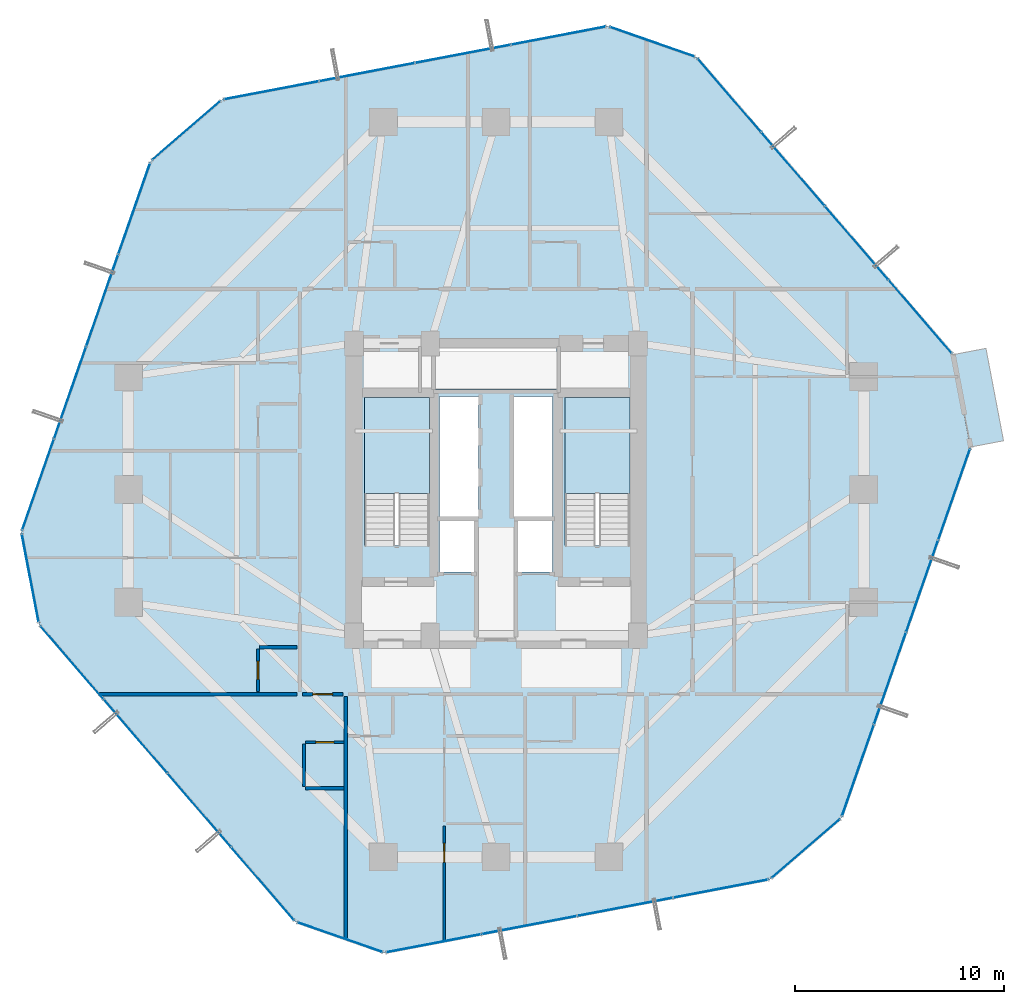
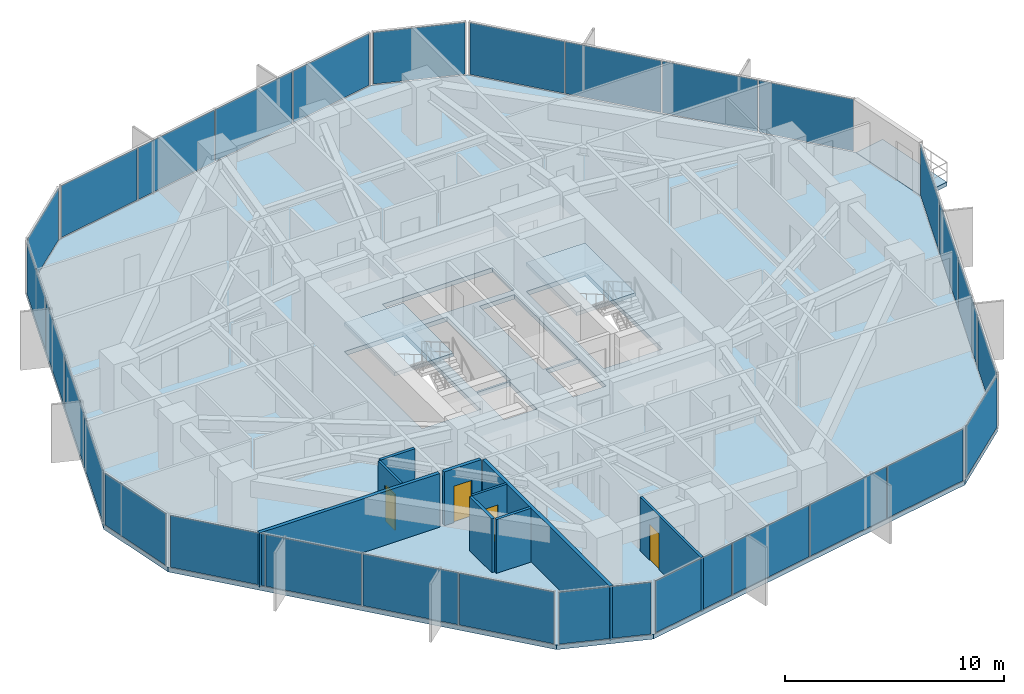
# One storey, part 32 of 38: 29 plates, 9 walls, 4 doors, 4 slabs, 4 openings, 13 elements without a shape of their own.
"""IFC4 building model written with IfcOpenShell, lengths in metres."""

from ifc_helpers import new_model, si_unit, direction, frame, frame_2d, origin, origin_2d, place, context, subcontext, project, spatial, polyline, rectangle, outline, extrude, source, transform, mapped, material, layer, layer_set, type_object, element, fill, aggregate, save


model = new_model("IFC4")

# Units and contexts
model_context = context("Model", 3, precision=1e-05, world=origin(), true_north=direction((0.0, 1.0)))
body_context = subcontext(model_context, "Body", "Model", "MODEL_VIEW")
ifc_project = project(units=[si_unit("LENGTHUNIT", "METRE"), si_unit("AREAUNIT", "SQUARE_METRE"), si_unit("VOLUMEUNIT", "CUBIC_METRE"), si_unit("PLANEANGLEUNIT", "RADIAN"), si_unit("MASSUNIT", "GRAM", prefix="KILO")], contexts=[model_context])

# Site, building, storey
site_placement = place(None, origin())
site = spatial("IfcSite", under=ifc_project, at=site_placement, CompositionType="ELEMENT")
building_placement = place(site_placement, origin())
building = spatial("IfcBuilding", under=site, at=building_placement, Name="Veraguas Prism Commons", CompositionType="ELEMENT")
storey_placement = place(building_placement, frame((0.0, 0.0, 60.85009765625)))
storey = spatial("IfcBuildingStorey", under=building, at=storey_placement, Name="L16", CompositionType="ELEMENT", Elevation=60.85009765625)

# Stair, slab
ifc_material_1 = material(Name="Precast concrete C45/55", Category="concrete")
stair_type = type_object("IfcStairType", Name="Dogleg Core Stair 1480W 20R 05", PredefinedType="HALF_TURN_STAIR", material=ifc_material_1)
stair_1_placement = place(storey_placement, origin())
stair_1 = element("IfcStair", 1, at=stair_1_placement, inside=storey, type_object=stair_type, Name="Protected Exit Stair ST-01 L16", PredefinedType="HALF_TURN_STAIR")
ifc_layer_1 = layer(ifc_material_1, 0.199951171875, Name="Precast Stair and Ramp Landing Slab 200", Category="concrete")
ifc_layer_set_1 = layer_set([ifc_layer_1], Name="Precast concrete C45/55")
slab_type_1 = type_object("IfcSlabType", Name="Precast Stair and Ramp Landing Slab 200", PredefinedType="LANDING", material=ifc_layer_set_1)
slab_1_placement = place(storey_placement, frame((0.0, 0.0, 1.4248046875)))
slab_1 = element("IfcSlab", 2, at=slab_1_placement, type_object=slab_type_1, Name="ST-05 Landing 1", PredefinedType="LANDING", context=body_context, shape_type="SweptSolid", body=[
    extrude(outline(polyline([(20.800048828125, 23.800048828125), (20.800048828125, 28.39990234375), (17.68994140625, 28.39990234375), (17.68994140625, 23.800048828125), (20.800048828125, 23.800048828125)])), origin(), (0.0, 0.0, 1.0), 0.2001953125),
])
aggregate(stair_1, [slab_1])

stair_2_placement = place(storey_placement, origin())
stair_2 = element("IfcStair", 3, at=stair_2_placement, inside=storey, type_object=stair_type, Name="Protected Exit Stair ST-02 L16", PredefinedType="HALF_TURN_STAIR")
slab_2_placement = place(storey_placement, frame((0.0, 0.0, 1.4248046875)))
slab_2 = element("IfcSlab", 4, at=slab_2_placement, type_object=slab_type_1, Name="ST-05 Landing 1", PredefinedType="LANDING", context=body_context, shape_type="SweptSolid", body=[
    extrude(outline(polyline([(30.39990234375, 23.800048828125), (30.39990234375, 28.39990234375), (27.2900390625, 28.39990234375), (27.2900390625, 23.800048828125), (30.39990234375, 23.800048828125)])), origin(), (0.0, 0.0, 1.0), 0.2001953125),
])
aggregate(stair_2, [slab_2])

# Slabs
ifc_material_2 = material(Name="Concrete C45/55", Category="concrete")
ifc_layer_2 = layer(ifc_material_2, 0.219970703125, Name="Recessed Loggia and Terrace Slab RC 220", Category="concrete")
ifc_layer_set_2 = layer_set([ifc_layer_2], Name="Concrete C45/55")
slab_type_2 = type_object("IfcSlabType", Name="Recessed Loggia and Terrace Slab RC 220", PredefinedType="FLOOR", material=ifc_layer_set_2)
slab_3_placement = place(storey_placement, frame((0.0, 0.0, -0.22021484375)))
element("IfcSlab", 5, at=slab_3_placement, inside=storey, type_object=slab_type_2, Name="Recessed Corner Loggia L16-C1", PredefinedType="FLOOR", context=body_context, shape_type="SweptSolid", body=[
    extrude(outline(polyline([(46.70166015625, 26.031982421875), (48.29296875, 26.3349609375), (47.451416015625, 30.755615234375), (45.85986328125, 30.452392578125), (46.70166015625, 26.031982421875)])), origin(), (0.0, 0.0, 1.0), 0.22021484375),
])
ifc_layer_3 = layer(ifc_material_2, 0.25, Name="Tower Lower Residential Floor Slab RC 250", Category="concrete")
ifc_layer_set_3 = layer_set([ifc_layer_3], Name="Concrete C45/55")
slab_type_3 = type_object("IfcSlabType", Name="Tower Lower Residential Floor Slab RC 250", PredefinedType="FLOOR", material=ifc_layer_set_3)
slab_4_placement = place(storey_placement, frame((0.0, 0.0, -0.25)))
element("IfcSlab", 6, at=slab_4_placement, inside=storey, type_object=slab_type_3, Name="Tower Floor Slab L16", PredefinedType="FLOOR", context=body_context, shape_type="SweptSolid", body=[
    extrude(outline(polyline([(46.72119140625, 26.03564453125), (45.87939453125, 30.456298828125), (33.59765625, 44.695068359375), (29.348388671875, 46.17626953125), (10.87646484375, 42.6591796875), (7.468994140625, 39.72021484375), (1.27880859375, 21.96435546875), (2.12060546875, 17.543701171875), (14.40234375, 3.304931640625), (18.651611328125, 1.82373046875), (37.12353515625, 5.3408203125), (40.531005859375, 8.27978515625), (46.72119140625, 26.03564453125)]), holes=[polyline([(20.800048828125, 21.31005859375), (20.800048828125, 28.39990234375), (17.68994140625, 28.39990234375), (17.68994140625, 21.31005859375), (20.800048828125, 21.31005859375)]), polyline([(30.39990234375, 21.31005859375), (30.39990234375, 28.39990234375), (27.2900390625, 28.39990234375), (27.2900390625, 21.31005859375), (30.39990234375, 21.31005859375)]), polyline([(21.300048828125, 22.64990234375), (23.14990234375, 22.64990234375), (23.14990234375, 28.449951171875), (21.300048828125, 28.449951171875), (21.300048828125, 22.64990234375)]), polyline([(24.85009765625, 22.64990234375), (26.699951171875, 22.64990234375), (26.699951171875, 28.449951171875), (24.85009765625, 28.449951171875), (24.85009765625, 22.64990234375)]), polyline([(21.10009765625, 28.800048828125), (26.89990234375, 28.800048828125), (26.89990234375, 30.800048828125), (21.10009765625, 30.800048828125), (21.10009765625, 28.800048828125)]), polyline([(21.300048828125, 20.050048828125), (23.050048828125, 20.050048828125), (23.050048828125, 22.550048828125), (21.300048828125, 22.550048828125), (21.300048828125, 20.050048828125)]), polyline([(24.949951171875, 20.050048828125), (26.699951171875, 20.050048828125), (26.699951171875, 22.550048828125), (24.949951171875, 22.550048828125), (24.949951171875, 20.050048828125)])]), origin(), (0.0, 0.0, 1.0), 0.25),
])

# Curtain wall, plates
ifc_material_3 = material(Name="Anodised aluminium EN AW-6063 T6", Category="aluminium")
ifc_layer_4 = layer(ifc_material_3, 0.169921875, Name="Unitised Flush Curtain Wall Zone 1", Category="aluminium")
ifc_layer_set_4 = layer_set([ifc_layer_4], Name="Anodised aluminium EN AW-6063 T6")
curtain_wall_type = type_object("IfcCurtainWallType", Name="Unitised Flush Curtain Wall Zone 1", PredefinedType="NOTDEFINED", material=ifc_layer_set_4)
curtain_wall_1_placement = place(storey_placement, origin())
curtain_wall_1 = element("IfcCurtainWall", 7, at=curtain_wall_1_placement, inside=storey, type_object=curtain_wall_type, Name="Tower Facade Curtain Wall L16-F1", PredefinedType="NOTDEFINED")
ifc_material_4 = material(Name="Laminated low-e glass", Category="glass")
ifc_layer_5 = layer(ifc_material_4, 0.028076171875, Name="Unitised Double Low-E Glazed Panel 28", Category="glass")
ifc_layer_set_5 = layer_set([ifc_layer_5], Name="Laminated low-e glass")
plate_type = type_object("IfcPlateType", Name="Unitised Double Low-E Glazed Panel 28", PredefinedType="CURTAIN_PANEL", material=ifc_layer_set_5)
shared_shape_1 = source(origin(), body_context, "Body", "SweptSolid", [
    extrude(rectangle(XDim=4.5810546875, YDim=0.028076171875, at=origin_2d()), origin(), (0.0, 0.0, 1.0), 2.889892578125),
])
plate_1_placement = place(storey_placement, frame((44.30517578125, 32.281494140625, 0.05517578125), z_axis=(0.0, 0.0, 1.0), x_axis=(-0.653149715021, 0.757228796182, 0.0)))
plate_1 = element("IfcPlate", 8, at=plate_1_placement, type_object=plate_type, Name="CW-Z1 Panel 1.1", PredefinedType="CURTAIN_PANEL", context=body_context, shape_type="MappedRepresentation", body=[
    mapped(shared_shape_1, transform((0.0, 0.0, 0.0), scale=1.0)),
])
plate_2_placement = place(storey_placement, frame((35.172119140625, 42.86962890625, 0.05517578125), z_axis=(0.0, 0.0, 1.0), x_axis=(-0.653149715021, 0.757228796182, 0.0)))
plate_2 = element("IfcPlate", 9, at=plate_2_placement, type_object=plate_type, Name="CW-Z1 Panel 4.1", PredefinedType="CURTAIN_PANEL", context=body_context, shape_type="MappedRepresentation", body=[
    mapped(shared_shape_1, transform((0.0, 0.0, 0.0), scale=1.0)),
])

curtain_wall_2_placement = place(storey_placement, origin())
curtain_wall_2 = element("IfcCurtainWall", 10, at=curtain_wall_2_placement, inside=storey, type_object=curtain_wall_type, Name="Tower Facade Curtain Wall L16-F2", PredefinedType="NOTDEFINED")
plate_3_placement = place(storey_placement, frame((26.98046875, 45.7255859375, 0.05517578125), z_axis=(0.0, 0.0, 1.0), x_axis=(-0.982352599301, -0.187038420242, 0.0)))
plate_3 = element("IfcPlate", 11, at=plate_3_placement, type_object=plate_type, Name="CW-Z1 Panel 1.1", PredefinedType="CURTAIN_PANEL", context=body_context, shape_type="MappedRepresentation", body=[
    mapped(shared_shape_1, transform((0.0, 0.0, 0.0), scale=1.0)),
])
plate_4_placement = place(storey_placement, frame((13.244384765625, 43.110107421875, 0.05517578125), z_axis=(0.0, 0.0, 1.0), x_axis=(-0.982352599301, -0.187038420242, 0.0)))
plate_4 = element("IfcPlate", 12, at=plate_4_placement, type_object=plate_type, Name="CW-Z1 Panel 4.1", PredefinedType="CURTAIN_PANEL", context=body_context, shape_type="MappedRepresentation", body=[
    mapped(shared_shape_1, transform((0.0, 0.0, 0.0), scale=1.0)),
])

curtain_wall_3_placement = place(storey_placement, origin())
curtain_wall_3 = element("IfcCurtainWall", 13, at=curtain_wall_3_placement, inside=storey, type_object=curtain_wall_type, Name="Tower Facade Curtain Wall L16-F3", PredefinedType="NOTDEFINED")
plate_5_placement = place(storey_placement, frame((6.675537109375, 37.44384765625, 0.05517578125), z_axis=(0.0, 0.0, 1.0), x_axis=(-0.329194628189, -0.944262091144, 0.0)))
plate_5 = element("IfcPlate", 14, at=plate_5_placement, type_object=plate_type, Name="CW-Z1 Panel 1.1", PredefinedType="CURTAIN_PANEL", context=body_context, shape_type="MappedRepresentation", body=[
    mapped(shared_shape_1, transform((0.0, 0.0, 0.0), scale=1.0)),
])
plate_6_placement = place(storey_placement, frame((2.072265625, 24.240478515625, 0.05517578125), z_axis=(0.0, 0.0, 1.0), x_axis=(-0.329194628189, -0.944262091144, 0.0)))
plate_6 = element("IfcPlate", 15, at=plate_6_placement, type_object=plate_type, Name="CW-Z1 Panel 4.1", PredefinedType="CURTAIN_PANEL", context=body_context, shape_type="MappedRepresentation", body=[
    mapped(shared_shape_1, transform((0.0, 0.0, 0.0), scale=1.0)),
])

curtain_wall_4_placement = place(storey_placement, origin())
curtain_wall_4 = element("IfcCurtainWall", 16, at=curtain_wall_4_placement, inside=storey, type_object=curtain_wall_type, Name="Tower Facade Curtain Wall L16-F4", PredefinedType="NOTDEFINED")
plate_7_placement = place(storey_placement, frame((3.69482421875, 15.718505859375, 0.05517578125), z_axis=(0.0, 0.0, 1.0), x_axis=(0.653149715021, -0.757228796182, 0.0)))
plate_7 = element("IfcPlate", 17, at=plate_7_placement, type_object=plate_type, Name="CW-Z1 Panel 1.1", PredefinedType="CURTAIN_PANEL", context=body_context, shape_type="MappedRepresentation", body=[
    mapped(shared_shape_1, transform((0.0, 0.0, 0.0), scale=1.0)),
])
plate_8_placement = place(storey_placement, frame((12.827880859375, 5.13037109375, 0.05517578125), z_axis=(0.0, 0.0, 1.0), x_axis=(0.653149715021, -0.757228796182, 0.0)))
plate_8 = element("IfcPlate", 18, at=plate_8_placement, type_object=plate_type, Name="CW-Z1 Panel 4.1", PredefinedType="CURTAIN_PANEL", context=body_context, shape_type="MappedRepresentation", body=[
    mapped(shared_shape_1, transform((0.0, 0.0, 0.0), scale=1.0)),
])

curtain_wall_5_placement = place(storey_placement, origin())
curtain_wall_5 = element("IfcCurtainWall", 19, at=curtain_wall_5_placement, inside=storey, type_object=curtain_wall_type, Name="Tower Facade Curtain Wall L16-F5", PredefinedType="NOTDEFINED")
plate_9_placement = place(storey_placement, frame((21.01953125, 2.2744140625, 0.05517578125), z_axis=(0.0, 0.0, 1.0), x_axis=(0.982352599301, 0.187038420242, 0.0)))
plate_9 = element("IfcPlate", 20, at=plate_9_placement, type_object=plate_type, Name="CW-Z1 Panel 1.1", PredefinedType="CURTAIN_PANEL", context=body_context, shape_type="MappedRepresentation", body=[
    mapped(shared_shape_1, transform((0.0, 0.0, 0.0), scale=1.0)),
])
plate_10_placement = place(storey_placement, frame((34.755615234375, 4.889892578125, 0.05517578125), z_axis=(0.0, 0.0, 1.0), x_axis=(0.982352599301, 0.187038420242, 0.0)))
plate_10 = element("IfcPlate", 21, at=plate_10_placement, type_object=plate_type, Name="CW-Z1 Panel 4.1", PredefinedType="CURTAIN_PANEL", context=body_context, shape_type="MappedRepresentation", body=[
    mapped(shared_shape_1, transform((0.0, 0.0, 0.0), scale=1.0)),
])

curtain_wall_6_placement = place(storey_placement, origin())
curtain_wall_6 = element("IfcCurtainWall", 22, at=curtain_wall_6_placement, inside=storey, type_object=curtain_wall_type, Name="Tower Facade Curtain Wall L16-F6", PredefinedType="NOTDEFINED")
plate_11_placement = place(storey_placement, frame((41.324462890625, 10.55615234375, 0.05517578125), z_axis=(0.0, 0.0, 1.0), x_axis=(0.329194628189, 0.944262091144, 0.0)))
plate_11 = element("IfcPlate", 23, at=plate_11_placement, type_object=plate_type, Name="CW-Z1 Panel 1.1", PredefinedType="CURTAIN_PANEL", context=body_context, shape_type="MappedRepresentation", body=[
    mapped(shared_shape_1, transform((0.0, 0.0, 0.0), scale=1.0)),
])
plate_12_placement = place(storey_placement, frame((45.927734375, 23.759521484375, 0.05517578125), z_axis=(0.0, 0.0, 1.0), x_axis=(0.329194628189, 0.944262091144, 0.0)))
plate_12 = element("IfcPlate", 24, at=plate_12_placement, type_object=plate_type, Name="CW-Z1 Panel 4.1", PredefinedType="CURTAIN_PANEL", context=body_context, shape_type="MappedRepresentation", body=[
    mapped(shared_shape_1, transform((0.0, 0.0, 0.0), scale=1.0)),
])

# Plate
shared_shape_2 = source(origin(), body_context, "Body", "SweptSolid", [
    extrude(rectangle(XDim=4.611083984375, YDim=0.028076171875, at=origin_2d()), origin(), (0.0, 0.0, 1.0), 2.889892578125),
])
plate_13_placement = place(storey_placement, frame((41.263916015625, 35.80712890625, 0.05517578125), z_axis=(0.0, 0.0, 1.0), x_axis=(-0.653149715021, 0.757228796182, 0.0)))
plate_13 = element("IfcPlate", 25, at=plate_13_placement, type_object=plate_type, Name="CW-Z1 Panel 2.1", PredefinedType="CURTAIN_PANEL", context=body_context, shape_type="MappedRepresentation", body=[
    mapped(shared_shape_2, transform((0.0, 0.0, 0.0), scale=1.0)),
])

plate_14_placement = place(storey_placement, frame((38.213134765625, 39.343994140625, 0.05517578125), z_axis=(0.0, 0.0, 1.0), x_axis=(-0.653149715021, 0.757228796182, 0.0)))
plate_14 = element("IfcPlate", 26, at=plate_14_placement, type_object=plate_type, Name="CW-Z1 Panel 3.1", PredefinedType="CURTAIN_PANEL", context=body_context, shape_type="MappedRepresentation", body=[
    mapped(shared_shape_2, transform((0.0, 0.0, 0.0), scale=1.0)),
])

aggregate(curtain_wall_1, [plate_1, plate_13, plate_14, plate_2])

plate_15_placement = place(storey_placement, frame((22.40673828125, 44.854736328125, 0.05517578125), z_axis=(0.0, 0.0, 1.0), x_axis=(-0.982352599301, -0.187038420242, 0.0)))
plate_15 = element("IfcPlate", 27, at=plate_15_placement, type_object=plate_type, Name="CW-Z1 Panel 2.1", PredefinedType="CURTAIN_PANEL", context=body_context, shape_type="MappedRepresentation", body=[
    mapped(shared_shape_2, transform((0.0, 0.0, 0.0), scale=1.0)),
])

plate_16_placement = place(storey_placement, frame((17.818115234375, 43.98095703125, 0.05517578125), z_axis=(0.0, 0.0, 1.0), x_axis=(-0.982352599301, -0.187038420242, 0.0)))
plate_16 = element("IfcPlate", 28, at=plate_16_placement, type_object=plate_type, Name="CW-Z1 Panel 3.1", PredefinedType="CURTAIN_PANEL", context=body_context, shape_type="MappedRepresentation", body=[
    mapped(shared_shape_2, transform((0.0, 0.0, 0.0), scale=1.0)),
])

aggregate(curtain_wall_2, [plate_3, plate_15, plate_16, plate_4])

plate_17_placement = place(storey_placement, frame((6.736083984375, 12.19287109375, 0.05517578125), z_axis=(0.0, 0.0, 1.0), x_axis=(0.653149715021, -0.757228796182, 0.0)))
plate_17 = element("IfcPlate", 29, at=plate_17_placement, type_object=plate_type, Name="CW-Z1 Panel 2.1", PredefinedType="CURTAIN_PANEL", context=body_context, shape_type="MappedRepresentation", body=[
    mapped(shared_shape_2, transform((0.0, 0.0, 0.0), scale=1.0)),
])

plate_18_placement = place(storey_placement, frame((9.786865234375, 8.656005859375, 0.05517578125), z_axis=(0.0, 0.0, 1.0), x_axis=(0.653149715021, -0.757228796182, 0.0)))
plate_18 = element("IfcPlate", 30, at=plate_18_placement, type_object=plate_type, Name="CW-Z1 Panel 3.1", PredefinedType="CURTAIN_PANEL", context=body_context, shape_type="MappedRepresentation", body=[
    mapped(shared_shape_2, transform((0.0, 0.0, 0.0), scale=1.0)),
])

aggregate(curtain_wall_4, [plate_7, plate_17, plate_18, plate_8])

plate_19_placement = place(storey_placement, frame((25.59326171875, 3.145263671875, 0.05517578125), z_axis=(0.0, 0.0, 1.0), x_axis=(0.982352599301, 0.187038420242, 0.0)))
plate_19 = element("IfcPlate", 31, at=plate_19_placement, type_object=plate_type, Name="CW-Z1 Panel 2.1", PredefinedType="CURTAIN_PANEL", context=body_context, shape_type="MappedRepresentation", body=[
    mapped(shared_shape_2, transform((0.0, 0.0, 0.0), scale=1.0)),
])

plate_20_placement = place(storey_placement, frame((30.181884765625, 4.01904296875, 0.05517578125), z_axis=(0.0, 0.0, 1.0), x_axis=(0.982352599301, 0.187038420242, 0.0)))
plate_20 = element("IfcPlate", 32, at=plate_20_placement, type_object=plate_type, Name="CW-Z1 Panel 3.1", PredefinedType="CURTAIN_PANEL", context=body_context, shape_type="MappedRepresentation", body=[
    mapped(shared_shape_2, transform((0.0, 0.0, 0.0), scale=1.0)),
])

aggregate(curtain_wall_5, [plate_9, plate_19, plate_20, plate_10])

shared_shape_3 = source(origin(), body_context, "Body", "SweptSolid", [
    extrude(rectangle(XDim=4.61083984375, YDim=0.028076171875, at=origin_2d()), origin(), (0.0, 0.0, 1.0), 2.889892578125),
])
plate_21_placement = place(storey_placement, frame((5.142822265625, 33.047607421875, 0.05517578125), z_axis=(0.0, 0.0, 1.0), x_axis=(-0.329194628189, -0.944262091144, 0.0)))
plate_21 = element("IfcPlate", 33, at=plate_21_placement, type_object=plate_type, Name="CW-Z1 Panel 2.1", PredefinedType="CURTAIN_PANEL", context=body_context, shape_type="MappedRepresentation", body=[
    mapped(shared_shape_3, transform((0.0, 0.0, 0.0), scale=1.0)),
])

plate_22_placement = place(storey_placement, frame((3.60498046875, 28.636962890625, 0.05517578125), z_axis=(0.0, 0.0, 1.0), x_axis=(-0.329194628189, -0.944262091144, 0.0)))
plate_22 = element("IfcPlate", 34, at=plate_22_placement, type_object=plate_type, Name="CW-Z1 Panel 3.1", PredefinedType="CURTAIN_PANEL", context=body_context, shape_type="MappedRepresentation", body=[
    mapped(shared_shape_3, transform((0.0, 0.0, 0.0), scale=1.0)),
])

aggregate(curtain_wall_3, [plate_5, plate_21, plate_22, plate_6])

plate_23_placement = place(storey_placement, frame((42.857177734375, 14.952392578125, 0.05517578125), z_axis=(0.0, 0.0, 1.0), x_axis=(0.329194628189, 0.944262091144, 0.0)))
plate_23 = element("IfcPlate", 35, at=plate_23_placement, type_object=plate_type, Name="CW-Z1 Panel 2.1", PredefinedType="CURTAIN_PANEL", context=body_context, shape_type="MappedRepresentation", body=[
    mapped(shared_shape_3, transform((0.0, 0.0, 0.0), scale=1.0)),
])

plate_24_placement = place(storey_placement, frame((44.39501953125, 19.363037109375, 0.05517578125), z_axis=(0.0, 0.0, 1.0), x_axis=(0.329194628189, 0.944262091144, 0.0)))
plate_24 = element("IfcPlate", 36, at=plate_24_placement, type_object=plate_type, Name="CW-Z1 Panel 3.1", PredefinedType="CURTAIN_PANEL", context=body_context, shape_type="MappedRepresentation", body=[
    mapped(shared_shape_3, transform((0.0, 0.0, 0.0), scale=1.0)),
])

aggregate(curtain_wall_6, [plate_11, plate_23, plate_24, plate_12])

# Curtain wall, plate
curtain_wall_7_placement = place(storey_placement, origin())
curtain_wall_7 = element("IfcCurtainWall", 37, at=curtain_wall_7_placement, inside=storey, type_object=curtain_wall_type, Name="Chamfer Curtain Wall L16-C3", PredefinedType="NOTDEFINED")
shared_shape_4 = source(origin(), body_context, "Body", "SweptSolid", [
    extrude(rectangle(XDim=4.260009765625, YDim=0.028076171875, at=origin_2d()), origin(), (0.0, 0.0, 1.0), 2.889892578125),
])
plate_25_placement = place(storey_placement, frame((9.1728515625, 41.189697265625, 0.05517578125), z_axis=(0.0, 0.0, 1.0), x_axis=(-0.757232216056, -0.653145750171, 0.0)))
plate_25 = element("IfcPlate", 38, at=plate_25_placement, type_object=plate_type, Name="CW-Z1 Panel 1.1", PredefinedType="CURTAIN_PANEL", context=body_context, shape_type="MappedRepresentation", body=[
    mapped(shared_shape_4, transform((0.0, 0.0, 0.0), scale=1.0)),
])
aggregate(curtain_wall_7, [plate_25])

curtain_wall_8_placement = place(storey_placement, origin())
curtain_wall_8 = element("IfcCurtainWall", 39, at=curtain_wall_8_placement, inside=storey, type_object=curtain_wall_type, Name="Chamfer Curtain Wall L16-C4", PredefinedType="NOTDEFINED")
plate_26_placement = place(storey_placement, frame((1.69970703125, 19.754150390625, 0.05517578125), z_axis=(0.0, 0.0, 1.0), x_axis=(0.187053850978, -0.982349661187, 0.0)))
plate_26 = element("IfcPlate", 40, at=plate_26_placement, type_object=plate_type, Name="CW-Z1 Panel 1.1", PredefinedType="CURTAIN_PANEL", context=body_context, shape_type="MappedRepresentation", body=[
    mapped(shared_shape_4, transform((0.0, 0.0, 0.0), scale=1.0)),
])
aggregate(curtain_wall_8, [plate_26])

curtain_wall_9_placement = place(storey_placement, origin())
curtain_wall_9 = element("IfcCurtainWall", 41, at=curtain_wall_9_placement, inside=storey, type_object=curtain_wall_type, Name="Chamfer Curtain Wall L16-C6", PredefinedType="NOTDEFINED")
plate_27_placement = place(storey_placement, frame((38.8271484375, 6.810302734375, 0.05517578125), z_axis=(0.0, 0.0, 1.0), x_axis=(0.757232216056, 0.653145750171, 0.0)))
plate_27 = element("IfcPlate", 42, at=plate_27_placement, type_object=plate_type, Name="CW-Z1 Panel 1.1", PredefinedType="CURTAIN_PANEL", context=body_context, shape_type="MappedRepresentation", body=[
    mapped(shared_shape_4, transform((0.0, 0.0, 0.0), scale=1.0)),
])
aggregate(curtain_wall_9, [plate_27])

curtain_wall_10_placement = place(storey_placement, origin())
curtain_wall_10 = element("IfcCurtainWall", 43, at=curtain_wall_10_placement, inside=storey, type_object=curtain_wall_type, Name="Chamfer Curtain Wall L16-C2", PredefinedType="NOTDEFINED")
shared_shape_5 = source(origin(), body_context, "Body", "SweptSolid", [
    extrude(rectangle(XDim=4.259765625, YDim=0.028076171875, at=origin_2d()), origin(), (0.0, 0.0, 1.0), 2.889892578125),
])
plate_28_placement = place(storey_placement, frame((31.47314453125, 45.435546875, 0.05517578125), z_axis=(0.0, 0.0, 1.0), x_axis=(-0.944272432632, 0.329164963158, 0.0)))
plate_28 = element("IfcPlate", 44, at=plate_28_placement, type_object=plate_type, Name="CW-Z1 Panel 1.1", PredefinedType="CURTAIN_PANEL", context=body_context, shape_type="MappedRepresentation", body=[
    mapped(shared_shape_5, transform((0.0, 0.0, 0.0), scale=1.0)),
])
aggregate(curtain_wall_10, [plate_28])

curtain_wall_11_placement = place(storey_placement, origin())
curtain_wall_11 = element("IfcCurtainWall", 45, at=curtain_wall_11_placement, inside=storey, type_object=curtain_wall_type, Name="Chamfer Curtain Wall L16-C5", PredefinedType="NOTDEFINED")
plate_29_placement = place(storey_placement, frame((16.52685546875, 2.564453125, 0.05517578125), z_axis=(0.0, 0.0, 1.0), x_axis=(0.944272432632, -0.329164963158, 0.0)))
plate_29 = element("IfcPlate", 46, at=plate_29_placement, type_object=plate_type, Name="CW-Z1 Panel 1.1", PredefinedType="CURTAIN_PANEL", context=body_context, shape_type="MappedRepresentation", body=[
    mapped(shared_shape_5, transform((0.0, 0.0, 0.0), scale=1.0)),
])
aggregate(curtain_wall_11, [plate_29])

# Walls
ifc_material_5 = material(Name="Autoclaved aerated masonry block 10 MPa", Category="masonry")
ifc_layer_6 = layer(ifc_material_5, 0.179931640625, Name="Corridor and Inter-Tenancy Partition 180", Category="masonry")
ifc_layer_set_6 = layer_set([ifc_layer_6], Name="Autoclaved aerated masonry block 10 MPa")
wall_type_1 = type_object("IfcWallType", Name="Corridor and Inter-Tenancy Partition 180", PredefinedType="PARTITIONING", material=ifc_layer_set_6)
wall_1_placement = place(storey_placement, frame((16.800048828125, 14.080078125, 0.0), z_axis=(0.0, 0.0, 1.0), x_axis=(0.0, -1.0, 0.0)))
element("IfcWall", 47, at=wall_1_placement, inside=storey, type_object=wall_type_1, Name="WL-L16-PT001", PredefinedType="PARTITIONING", context=body_context, shape_type="SweptSolid", body=[
    extrude(rectangle(XDim=11.642578125, YDim=0.179931640625, at=frame_2d((5.8212890625, 0.0))), origin(), (0.0, 0.0, 1.0), 3.0),
])
wall_2_placement = place(storey_placement, frame((14.47998046875, 14.199951171875, 0.0), z_axis=(0.0, 0.0, 1.0), x_axis=(-1.0, 0.0, 0.0)))
element("IfcWall", 48, at=wall_2_placement, inside=storey, type_object=wall_type_1, Name="WL-L16-PT026", PredefinedType="PARTITIONING", context=body_context, shape_type="SweptSolid", body=[
    extrude(rectangle(XDim=9.514892578125, YDim=0.179931640625, at=frame_2d((4.75732421875, 0.0))), origin(), (0.0, 0.0, 1.0), 3.0),
])

# Wall, opening, door
wall_3_placement = place(storey_placement, frame((14.719970703125, 14.199951171875, 0.0), z_axis=(0.0, 0.0, 1.0), x_axis=(1.0, 0.0, 0.0)))
wall_3 = element("IfcWall", 49, at=wall_3_placement, inside=storey, type_object=wall_type_1, Name="WL-L16-PT060", PredefinedType="PARTITIONING", context=body_context, shape_type="SweptSolid", body=[
    extrude(rectangle(XDim=1.9599609375, YDim=0.179931640625, at=frame_2d((0.97998046875, 0.0))), origin(), (0.0, 0.0, 1.0), 3.0),
])
opening_1_placement = place(wall_3_placement, frame((0.5048828125, 0.0, 0.0)))
opening_1 = element("IfcOpeningElement", 50, at=opening_1_placement, cuts=wall_3, Name="Opening DR-01", PredefinedType="OPENING", context=body_context, shape_type="SweptSolid", body=[
    extrude(rectangle(XDim=0.949951171875, YDim=2.02001953125, at=frame_2d((0.47509765625, 1.010009765625))), frame((0.0, 0.099853515625, 0.0), z_axis=(0.0, -1.0, 0.0), x_axis=(1.0, 0.0, 0.0)), (0.0, 0.0, 1.0), 0.199951171875),
])
door_type_1 = type_object("IfcDoorType", Name="Apartment Entrance Fire Door 950x2020", OperationType="NOTDEFINED", PredefinedType="DOOR", material=ifc_material_3)
shared_shape_6 = source(origin(), body_context, "Body", "SweptSolid", [
    extrude(rectangle(XDim=0.949951171875, YDim=2.02001953125, at=frame_2d((0.47509765625, 1.010009765625))), frame((0.0, 0.02490234375, 0.0), z_axis=(0.0, -1.0, 0.0), x_axis=(1.0, 0.0, 0.0)), (0.0, 0.0, 1.0), 0.050048828125),
])
door_1_placement = place(opening_1_placement, origin())
door_1 = element("IfcDoor", 51, at=door_1_placement, inside=storey, type_object=door_type_1, Name="Studio 16H Entrance Door", OperationType="SINGLE_SWING_RIGHT", OverallHeight=2.02001953125, OverallWidth=0.949951171875, PredefinedType="DOOR", context=body_context, shape_type="MappedRepresentation", body=[
    mapped(shared_shape_6, transform((0.0, 0.0, 0.0), scale=1.0)),
])
fill(opening_1, door_1)

ifc_material_6 = material(Name="Lightweight acoustic gypsum board")
ifc_layer_7 = layer(ifc_material_6, 0.125, Name="Internal Apartment Room Partition 125")
ifc_layer_set_7 = layer_set([ifc_layer_7], Name="Lightweight acoustic gypsum board")
wall_type_2 = type_object("IfcWallType", Name="Internal Apartment Room Partition 125", PredefinedType="PARTITIONING", material=ifc_layer_set_7)
wall_4_placement = place(storey_placement, frame((21.52587890625, 7.89990234375, 0.0), z_axis=(0.0, 0.0, 1.0), x_axis=(0.0, -1.0, 0.0)))
wall_4 = element("IfcWall", 52, at=wall_4_placement, inside=storey, type_object=wall_type_2, Name="WL-L16-PT010", PredefinedType="PARTITIONING", context=body_context, shape_type="SweptSolid", body=[
    extrude(rectangle(XDim=5.559326171875, YDim=0.125, at=frame_2d((2.77978515625, 0.0))), origin(), (0.0, 0.0, 1.0), 3.0),
])
opening_2_placement = place(wall_4_placement, frame((0.8388671875, 0.0, 0.0)))
opening_2 = element("IfcOpeningElement", 53, at=opening_2_placement, cuts=wall_4, Name="Opening DR-02", PredefinedType="OPENING", context=body_context, shape_type="SweptSolid", body=[
    extrude(rectangle(XDim=0.89990234375, YDim=2.010009765625, at=frame_2d((0.449951171875, 1.0048828125))), frame((0.0, 0.072509765625, 0.0), z_axis=(0.0, -1.0, 0.0), x_axis=(1.0, 0.0, 0.0)), (0.0, 0.0, 1.0), 0.14501953125),
])
ifc_material_7 = material(Name="Timber solid core hardwood", Category="wood")
door_type_2 = type_object("IfcDoorType", Name="Internal Habitable Room Door 900x2010", OperationType="NOTDEFINED", PredefinedType="DOOR", material=ifc_material_7)
shared_shape_7 = source(origin(), body_context, "Body", "SweptSolid", [
    extrude(rectangle(XDim=0.89990234375, YDim=2.010009765625, at=frame_2d((0.449951171875, 1.0048828125))), frame((0.0, 0.02490234375, 0.0), z_axis=(0.0, -1.0, 0.0), x_axis=(1.0, 0.0, 0.0)), (0.0, 0.0, 1.0), 0.050048828125),
])
door_2_placement = place(opening_2_placement, origin())
door_2 = element("IfcDoor", 54, at=door_2_placement, inside=storey, type_object=door_type_2, Name="Flat 16A Bedroom 2 Door", OperationType="SINGLE_SWING_RIGHT", OverallHeight=2.010009765625, OverallWidth=0.89990234375, PredefinedType="DOOR", context=body_context, shape_type="MappedRepresentation", body=[
    mapped(shared_shape_7, transform((0.0, 0.0, 0.0), scale=1.0)),
])
fill(opening_2, door_2)

wall_5_placement = place(storey_placement, frame((12.60009765625, 14.320068359375, 0.0), z_axis=(0.0, 0.0, 1.0), x_axis=(0.0, 1.0, 0.0)))
wall_5 = element("IfcWall", 55, at=wall_5_placement, inside=storey, type_object=wall_type_2, Name="WL-L16-PT030", PredefinedType="PARTITIONING", context=body_context, shape_type="SweptSolid", body=[
    extrude(rectangle(XDim=2.050048828125, YDim=0.125, at=frame_2d((1.02490234375, 0.0))), origin(), (0.0, 0.0, 1.0), 3.0),
])
opening_3_placement = place(wall_5_placement, frame((0.594970703125, 0.0, 0.0)))
opening_3 = element("IfcOpeningElement", 56, at=opening_3_placement, cuts=wall_5, Name="Opening DR-03", PredefinedType="OPENING", context=body_context, shape_type="SweptSolid", body=[
    extrude(rectangle(XDim=0.860107421875, YDim=2.010009765625, at=frame_2d((0.43017578125, 1.0048828125))), frame((0.0, 0.072509765625, 0.0), z_axis=(0.0, -1.0, 0.0), x_axis=(1.0, 0.0, 0.0)), (0.0, 0.0, 1.0), 0.14501953125),
])
ifc_material_8 = material(Name="Timber moisture-resistant leaf", Category="wood")
door_type_3 = type_object("IfcDoorType", Name="Internal Bathroom Door 860x2010", OperationType="NOTDEFINED", PredefinedType="DOOR", material=ifc_material_8)
shared_shape_8 = source(origin(), body_context, "Body", "SweptSolid", [
    extrude(rectangle(XDim=0.860107421875, YDim=2.010009765625, at=frame_2d((0.43017578125, 1.0048828125))), frame((0.0, 0.02490234375, 0.0), z_axis=(0.0, -1.0, 0.0), x_axis=(1.0, 0.0, 0.0)), (0.0, 0.0, 1.0), 0.050048828125),
])
door_3_placement = place(opening_3_placement, origin())
door_3 = element("IfcDoor", 57, at=door_3_placement, inside=storey, type_object=door_type_3, Name="Flat 16E Bathroom Door", OperationType="SINGLE_SWING_LEFT", OverallHeight=2.010009765625, OverallWidth=0.860107421875, PredefinedType="DOOR", context=body_context, shape_type="MappedRepresentation", body=[
    mapped(shared_shape_8, transform((0.0, 0.0, 0.0), scale=1.0)),
])
fill(opening_3, door_3)

wall_6_placement = place(storey_placement, frame((14.8798828125, 11.89990234375, 0.0), z_axis=(0.0, 0.0, 1.0), x_axis=(1.0, 0.0, 0.0)))
wall_6 = element("IfcWall", 58, at=wall_6_placement, inside=storey, type_object=wall_type_2, Name="WL-L16-PT061", PredefinedType="PARTITIONING", context=body_context, shape_type="SweptSolid", body=[
    extrude(rectangle(XDim=1.840087890625, YDim=0.125, at=frame_2d((0.919921875, 0.0))), origin(), (0.0, 0.0, 1.0), 3.0),
])
opening_4_placement = place(wall_6_placement, frame((0.489990234375, 0.0, 0.0)))
opening_4 = element("IfcOpeningElement", 59, at=opening_4_placement, cuts=wall_6, Name="Opening DR-03", PredefinedType="OPENING", context=body_context, shape_type="SweptSolid", body=[
    extrude(rectangle(XDim=0.860107421875, YDim=2.010009765625, at=frame_2d((0.43017578125, 1.0048828125))), frame((0.0, 0.072509765625, 0.0), z_axis=(0.0, -1.0, 0.0), x_axis=(1.0, 0.0, 0.0)), (0.0, 0.0, 1.0), 0.14501953125),
])
door_4_placement = place(opening_4_placement, origin())
door_4 = element("IfcDoor", 60, at=door_4_placement, inside=storey, type_object=door_type_3, Name="Studio 16H Bathroom Door", OperationType="SINGLE_SWING_LEFT", OverallHeight=2.010009765625, OverallWidth=0.860107421875, PredefinedType="DOOR", context=body_context, shape_type="MappedRepresentation", body=[
    mapped(shared_shape_8, transform((0.0, 0.0, 0.0), scale=1.0)),
])
fill(opening_4, door_4)

# Walls
ifc_layer_8 = layer(ifc_material_6, 0.14990234375, Name="Wet Room and Clinic Acoustic Partition 150")
ifc_layer_set_8 = layer_set([ifc_layer_8], Name="Lightweight acoustic gypsum board")
wall_type_3 = type_object("IfcWallType", Name="Wet Room and Clinic Acoustic Partition 150", PredefinedType="PARTITIONING", material=ifc_layer_set_8)
wall_7_placement = place(storey_placement, frame((14.47998046875, 16.449951171875, 0.0), z_axis=(0.0, 0.0, 1.0), x_axis=(-1.0, 0.0, 0.0)))
element("IfcWall", 61, at=wall_7_placement, inside=storey, type_object=wall_type_3, Name="WL-L16-PT029", PredefinedType="PARTITIONING", context=body_context, shape_type="SweptSolid", body=[
    extrude(rectangle(XDim=1.800048828125, YDim=0.14990234375, at=frame_2d((0.89990234375, 0.0))), origin(), (0.0, 0.0, 1.0), 3.0),
])
wall_8_placement = place(storey_placement, frame((14.8798828125, 9.699951171875, 0.0), z_axis=(0.0, 0.0, 1.0), x_axis=(1.0, 0.0, 0.0)))
element("IfcWall", 62, at=wall_8_placement, inside=storey, type_object=wall_type_3, Name="WL-L16-PT062", PredefinedType="PARTITIONING", context=body_context, shape_type="SweptSolid", body=[
    extrude(rectangle(XDim=1.840087890625, YDim=0.14990234375, at=frame_2d((0.919921875, 0.0))), origin(), (0.0, 0.0, 1.0), 3.0),
])
wall_9_placement = place(storey_placement, frame((14.800048828125, 9.780029296875, 0.0), z_axis=(0.0, 0.0, 1.0), x_axis=(0.0, 1.0, 0.0)))
element("IfcWall", 63, at=wall_9_placement, inside=storey, type_object=wall_type_3, Name="WL-L16-PT063", PredefinedType="PARTITIONING", context=body_context, shape_type="SweptSolid", body=[
    extrude(rectangle(XDim=2.0400390625, YDim=0.14990234375, at=frame_2d((1.02001953125, 0.0))), origin(), (0.0, 0.0, 1.0), 3.0),
])

save(model, "model.ifc")
